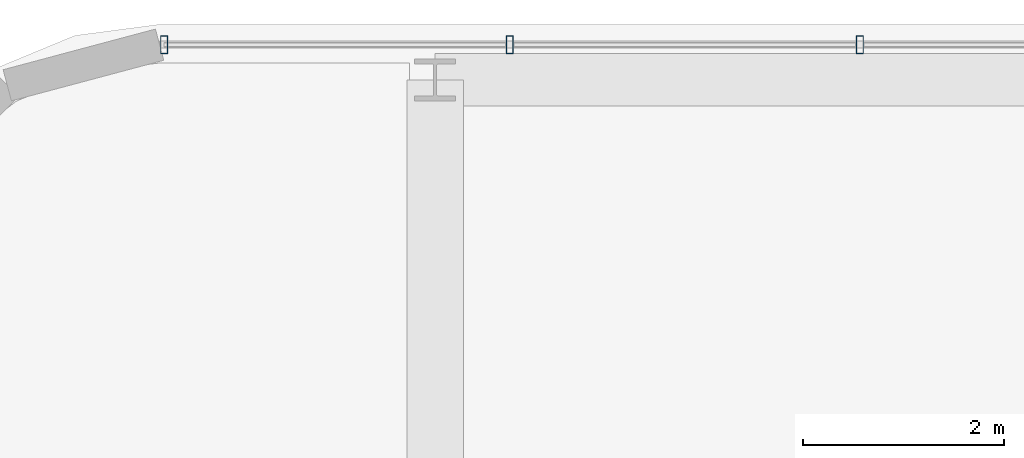
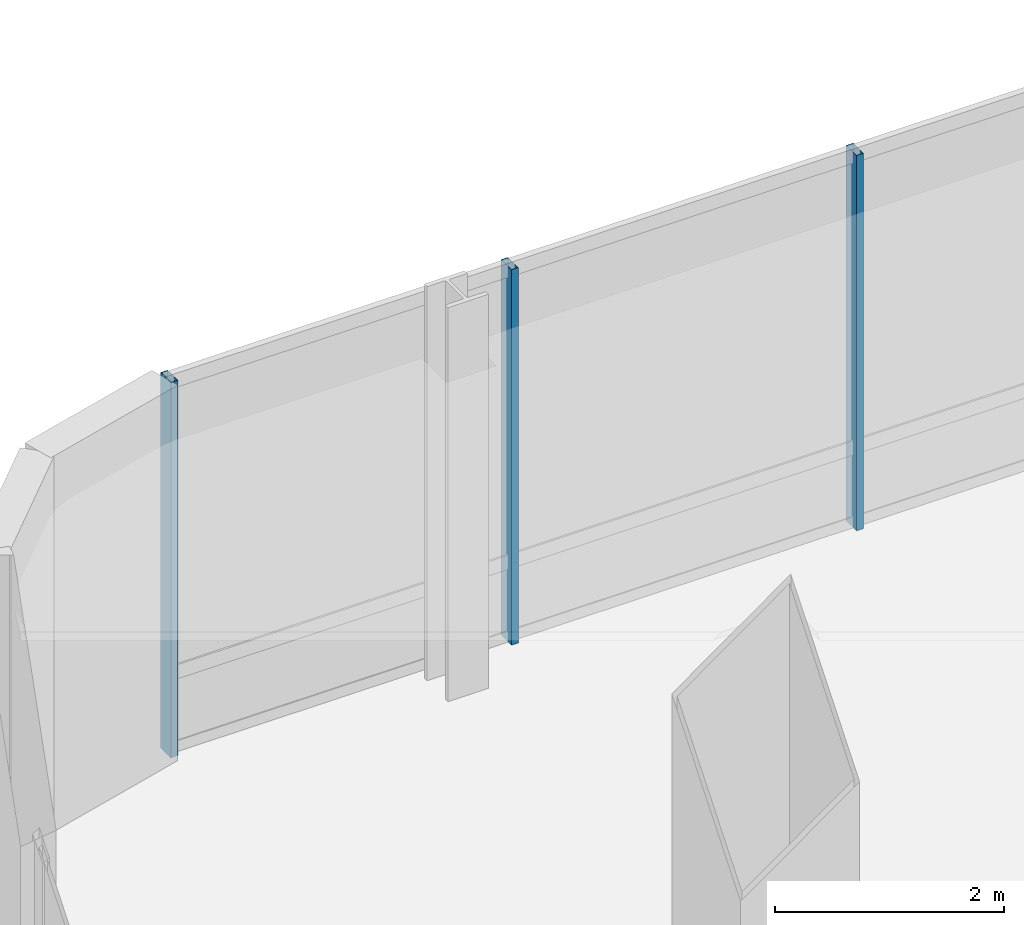
# One storey, part 22 of 43: 3 members, 1 element without a shape of its own.
"""IFC4 building model written with IfcOpenShell, lengths in metres."""

from ifc_helpers import new_model, si_unit, direction, frame, origin, origin_2d, place, context, subcontext, project, spatial, hollow_rectangle, extrude, material, material_profile, profile_set, type_object, element, aggregate, save


model = new_model("IFC4")

# Units and contexts
model_context = context("Model", 3, precision=1e-05, world=origin(), true_north=direction((0.0, 1.0)))
body_context = subcontext(model_context, "Body", "Model", "MODEL_VIEW")
ifc_project = project(units=[si_unit("LENGTHUNIT", "METRE"), si_unit("AREAUNIT", "SQUARE_METRE"), si_unit("VOLUMEUNIT", "CUBIC_METRE"), si_unit("PLANEANGLEUNIT", "RADIAN"), si_unit("MASSUNIT", "GRAM", prefix="KILO")], contexts=[model_context])

# Site, building, storey
site_placement = place(None, origin())
site = spatial("IfcSite", under=ifc_project, at=site_placement, CompositionType="ELEMENT")
building_placement = place(site_placement, origin())
building = spatial("IfcBuilding", under=site, at=building_placement, Name="Punatoya Terracotta Tower", CompositionType="ELEMENT")
storey_placement = place(building_placement, frame((0.0, 0.0, 300.60009765625)))
storey = spatial("IfcBuildingStorey", under=building, at=storey_placement, Name="L71", CompositionType="ELEMENT", Elevation=300.60009765625)

# Curtain wall, members
ifc_material_1 = material(Name="Aluminium 6063-T6 + Double Low-E Glass", Category="aluminium")
curtain_wall_type = type_object("IfcCurtainWallType", Name="CW-M3", PredefinedType="NOTDEFINED", material=ifc_material_1)
curtain_wall_placement = place(storey_placement, origin())
curtain_wall = element("IfcCurtainWall", 1, at=curtain_wall_placement, inside=storey, type_object=curtain_wall_type, Name="L71 Curtain Wall CW-L71-N09-2", PredefinedType="NOTDEFINED")
ifc_material_2 = material(Name="Aluminium 6063-T6", Category="aluminium")
ifc_material_profile = material_profile(ifc_material_2, hollow_rectangle(XDim=0.070068359375, YDim=0.179931640625, WallThickness=0.00390625, at=origin_2d()))
ifc_profile_set = profile_set([ifc_material_profile], Name="Aluminium 6063-T6")
member_type = type_object("IfcMemberType", Name="CW-MUL-M3", PredefinedType="MULLION", material=ifc_profile_set)
member_1_placement = place(storey_placement, frame((-14.882080078125, 23.25, 0.0), z_axis=(0.0, 0.0, 1.0), x_axis=(1.0, 0.0, 0.0)))
member_1 = element("IfcMember", 2, at=member_1_placement, type_object=member_type, Name="CW-L71-N09-2 Mullion 03", PredefinedType="MULLION", context=body_context, shape_type="SweptSolid", body=[
    extrude(hollow_rectangle(XDim=0.070068359375, YDim=0.179931640625, WallThickness=0.00390625, at=origin_2d()), origin(), (0.0, 0.0, 1.0), 4.0),
])
member_2_placement = place(storey_placement, frame((-18.359619140625, 23.25, 0.0), z_axis=(0.0, 0.0, 1.0), x_axis=(1.0, 0.0, 0.0)))
member_2 = element("IfcMember", 3, at=member_2_placement, type_object=member_type, Name="CW-L71-N09-2 Mullion 04", PredefinedType="MULLION", context=body_context, shape_type="SweptSolid", body=[
    extrude(hollow_rectangle(XDim=0.070068359375, YDim=0.179931640625, WallThickness=0.00390625, at=origin_2d()), origin(), (0.0, 0.0, 1.0), 4.0),
])
member_3_placement = place(storey_placement, frame((-21.7919921875, 23.25, 0.0), z_axis=(0.0, 0.0, 1.0), x_axis=(1.0, 0.0, 0.0)))
member_3 = element("IfcMember", 4, at=member_3_placement, type_object=member_type, Name="CW-L71-N09-2 Mullion 05", PredefinedType="MULLION", context=body_context, shape_type="SweptSolid", body=[
    extrude(hollow_rectangle(XDim=0.070068359375, YDim=0.179931640625, WallThickness=0.00390625, at=origin_2d()), origin(), (0.0, 0.0, 1.0), 4.0),
])
aggregate(curtain_wall, [member_1, member_2, member_3])

save(model, "model.ifc")
